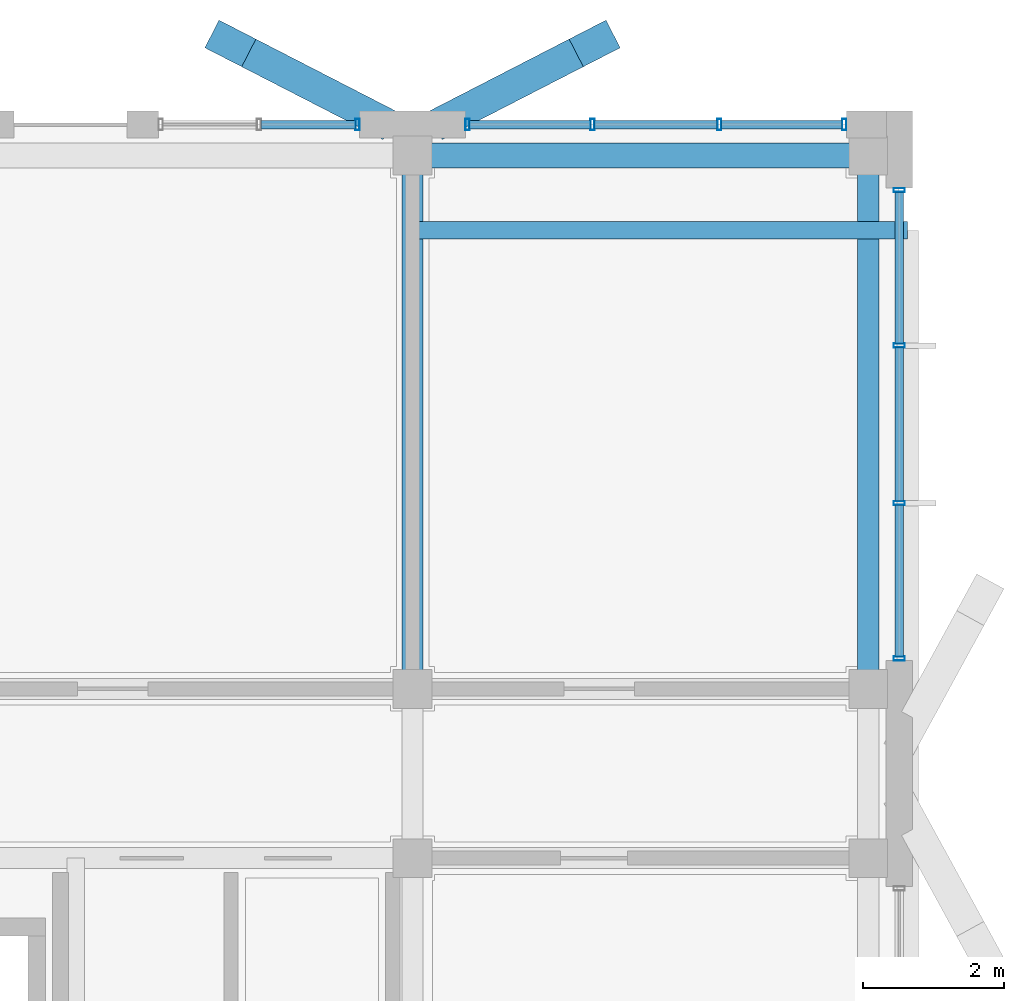
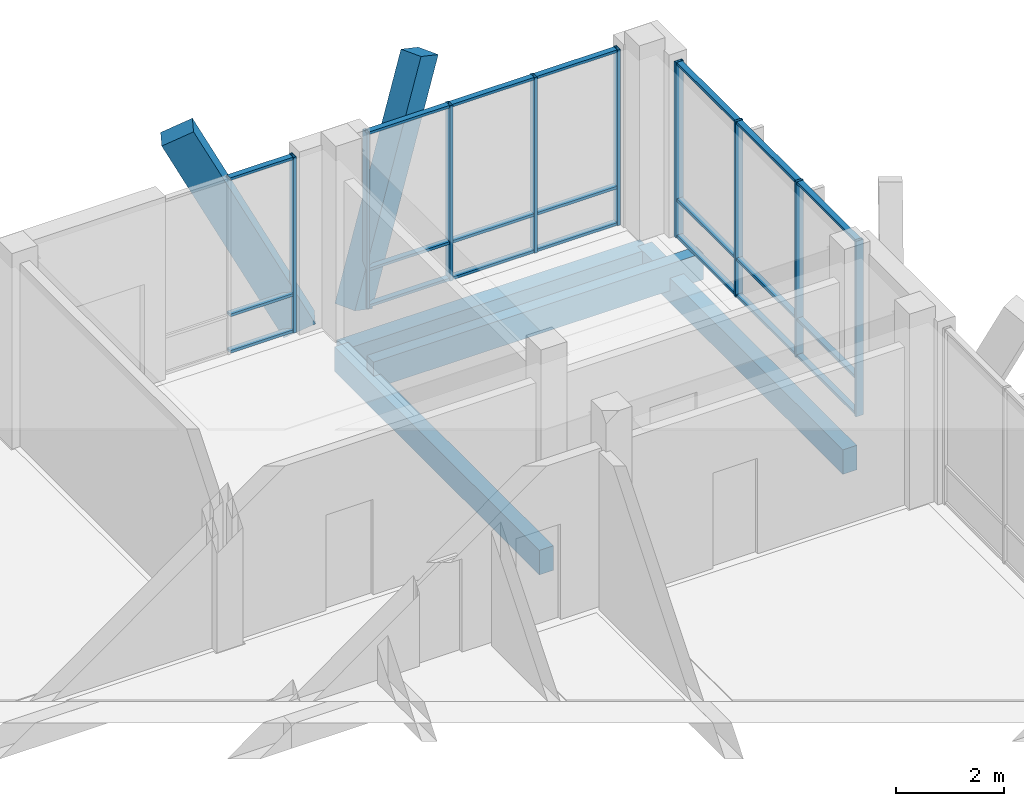
# One storey, part 175 of 233: 32 members, 4 beams, 3 elements without a shape of their own.
"""IFC4 building model written with IfcOpenShell, lengths in metres."""

from ifc_helpers import new_model, si_unit, direction, frame, origin, origin_2d, place, context, subcontext, project, spatial, rectangle, hollow_rectangle, extrude, material, material_profile, profile_set, type_object, element, aggregate, save


model = new_model("IFC4")

# Units and contexts
model_context = context("Model", 3, precision=1e-05, world=origin(), true_north=direction((0.0, 1.0)))
body_context = subcontext(model_context, "Body", "Model", "MODEL_VIEW")
ifc_project = project(units=[si_unit("LENGTHUNIT", "METRE"), si_unit("AREAUNIT", "SQUARE_METRE"), si_unit("VOLUMEUNIT", "CUBIC_METRE"), si_unit("PLANEANGLEUNIT", "RADIAN"), si_unit("MASSUNIT", "GRAM", prefix="KILO")], contexts=[model_context])

# Site, building, storey
site_placement = place(None, origin())
site = spatial("IfcSite", under=ifc_project, at=site_placement, CompositionType="ELEMENT")
building_placement = place(site_placement, origin())
building = spatial("IfcBuilding", under=site, at=building_placement, Name="Zavelmont Quarter", CompositionType="ELEMENT")
storey_placement = place(building_placement, origin())
storey = spatial("IfcBuildingStorey", under=building, at=storey_placement, Name="L00", CompositionType="ELEMENT", Elevation=0.0)

# Beams
ifc_material_1 = material(Name="Concrete C35/45", Category="concrete")
ifc_material_profile_1 = material_profile(ifc_material_1, rectangle(XDim=0.35009765625, YDim=0.60009765625, at=origin_2d()), Name="RC350X600")
ifc_profile_set_1 = profile_set([ifc_material_profile_1], Name="Concrete C35/45")
beam_type_1 = type_object("IfcBeamType", Name="BM01", PredefinedType="SPANDREL", material=ifc_profile_set_1)
beam_1_placement = place(storey_placement, frame((161.10009765625, 115.56005859375, -0.6201171875), z_axis=(1.0, 0.0, 0.0), x_axis=(0.0, 1.0, 0.0)))
element("IfcBeam", 1, at=beam_1_placement, inside=storey, type_object=beam_type_1, Name="L00 beam BM01 24/S to 25/S", PredefinedType="SPANDREL", context=body_context, shape_type="SweptSolid", body=[
    extrude(rectangle(XDim=0.35009765625, YDim=0.60009765625, at=origin_2d()), origin(), (0.0, 0.0, 1.0), 6.4599609375),
])
ifc_material_profile_2 = material_profile(ifc_material_1, rectangle(XDim=0.300048828125, YDim=0.550048828125, at=origin_2d()), Name="RC300X550")
ifc_profile_set_2 = profile_set([ifc_material_profile_2], Name="Concrete C35/45")
beam_type_2 = type_object("IfcBeamType", Name="BM02", PredefinedType="SPANDREL", material=ifc_profile_set_2)
for number, where, z_axis, x_axis, name in (
    (2, (161.10009765625, 108.0, -0.594970703125), (0.0, 1.0, 0.0), (-1.0, 0.0, 0.0), "L00 beam BM02 24/R to 24/S"),
    (3, (167.56005859375, 108.0, -0.594970703125), (0.0, 1.0, 0.0), (-1.0, 0.0, 0.0), "L00 beam BM02 25/R to 25/S"),
):
    element("IfcBeam", number, at=place(storey_placement, frame(where, z_axis=z_axis, x_axis=x_axis)), inside=storey, type_object=beam_type_2, Name=name, PredefinedType="SPANDREL", context=body_context, shape_type="SweptSolid", body=[
        extrude(rectangle(XDim=0.300048828125, YDim=0.550048828125, at=origin_2d()), origin(), (0.0, 0.0, 1.0), 7.56005859375),
    ])
ifc_material_2 = material(Name="Concrete C40/50", Category="concrete")
ifc_material_profile_3 = material_profile(ifc_material_2, rectangle(XDim=0.25, YDim=0.60009765625, at=origin_2d()), Name="RC250X600")
ifc_profile_set_3 = profile_set([ifc_material_profile_3], Name="Concrete C40/50")
beam_type_3 = type_object("IfcBeamType", Name="BM18", PredefinedType="BEAM", material=ifc_profile_set_3)
beam_2_placement = place(storey_placement, frame((161.10009765625, 114.5, -0.300048828125), z_axis=(1.0, 0.0, 0.0), x_axis=(0.0, 1.0, 0.0)))
element("IfcBeam", 4, at=beam_2_placement, inside=storey, type_object=beam_type_3, Name="L00 beam BM18 24/S to 25/S", PredefinedType="BEAM", context=body_context, shape_type="SweptSolid", body=[
    extrude(rectangle(XDim=0.25, YDim=0.60009765625, at=origin_2d()), origin(), (0.0, 0.0, 1.0), 7.02001953125),
])

# Curtain wall, member
ifc_material_3 = material(Name="Thermally broken aluminium and double low-E safety glazing", Category="aluminium")
curtain_wall_type_1 = type_object("IfcCurtainWallType", Name="CW-285X395", PredefinedType="NOTDEFINED", material=ifc_material_3)
curtain_wall_1_placement = place(storey_placement, origin())
curtain_wall_1 = element("IfcCurtainWall", 5, at=curtain_wall_1_placement, inside=storey, type_object=curtain_wall_type_1, Name="L00 unitised curtain wall CW-285X395", PredefinedType="NOTDEFINED")
ifc_material_4 = material(Name="Powder-coated aluminium EN AW-6063-T6", Category="aluminium")
ifc_material_profile_4 = material_profile(ifc_material_4, hollow_rectangle(XDim=0.06005859375, YDim=0.159912109375, WallThickness=0.00390625, at=origin_2d()), Name="CWM60X160")
ifc_profile_set_4 = profile_set([ifc_material_profile_4], Name="Powder-coated aluminium EN AW-6063-T6")
member_type_1 = type_object("IfcMemberType", Name="CWM01", PredefinedType="MULLION", material=ifc_profile_set_4)
member_1_placement = place(storey_placement, frame((160.320068359375, 116.0, 0.0), z_axis=(0.0, 0.0, 1.0), x_axis=(1.0, 0.0, 0.0)))
member_1 = element("IfcMember", 6, at=member_1_placement, type_object=member_type_1, Name="CW-285X395 mullion 3", PredefinedType="MULLION", context=body_context, shape_type="SweptSolid", body=[
    extrude(hollow_rectangle(XDim=0.06005859375, YDim=0.159912109375, WallThickness=0.00390625, at=origin_2d()), origin(), (0.0, 0.0, 1.0), 3.949951171875),
])

# Curtain wall, members
curtain_wall_type_2 = type_object("IfcCurtainWallType", Name="CW-540X395", PredefinedType="NOTDEFINED", material=ifc_material_3)
curtain_wall_2_placement = place(storey_placement, origin())
curtain_wall_2 = element("IfcCurtainWall", 7, at=curtain_wall_2_placement, inside=storey, type_object=curtain_wall_type_2, Name="L00 unitised curtain wall CW-540X395", PredefinedType="NOTDEFINED")
member_2_placement = place(storey_placement, frame((161.8798828125, 116.0, 0.0), z_axis=(0.0, 0.0, 1.0), x_axis=(1.0, 0.0, 0.0)))
member_2 = element("IfcMember", 8, at=member_2_placement, type_object=member_type_1, Name="CW-540X395 mullion 1", PredefinedType="MULLION", context=body_context, shape_type="SweptSolid", body=[
    extrude(hollow_rectangle(XDim=0.06005859375, YDim=0.159912109375, WallThickness=0.00390625, at=origin_2d()), origin(), (0.0, 0.0, 1.0), 3.949951171875),
])
member_3_placement = place(storey_placement, frame((163.64990234375, 116.0, 0.0), z_axis=(0.0, 0.0, 1.0), x_axis=(1.0, 0.0, 0.0)))
member_3 = element("IfcMember", 9, at=member_3_placement, type_object=member_type_1, Name="CW-540X395 mullion 2", PredefinedType="MULLION", context=body_context, shape_type="SweptSolid", body=[
    extrude(hollow_rectangle(XDim=0.06005859375, YDim=0.159912109375, WallThickness=0.00390625, at=origin_2d()), origin(), (0.0, 0.0, 1.0), 3.949951171875),
])
member_4_placement = place(storey_placement, frame((165.449951171875, 116.0, 0.0), z_axis=(0.0, 0.0, 1.0), x_axis=(1.0, 0.0, 0.0)))
member_4 = element("IfcMember", 10, at=member_4_placement, type_object=member_type_1, Name="CW-540X395 mullion 3", PredefinedType="MULLION", context=body_context, shape_type="SweptSolid", body=[
    extrude(hollow_rectangle(XDim=0.06005859375, YDim=0.159912109375, WallThickness=0.00390625, at=origin_2d()), origin(), (0.0, 0.0, 1.0), 3.949951171875),
])
member_5_placement = place(storey_placement, frame((167.219970703125, 116.0, 0.0), z_axis=(0.0, 0.0, 1.0), x_axis=(1.0, 0.0, 0.0)))
member_5 = element("IfcMember", 11, at=member_5_placement, type_object=member_type_1, Name="CW-540X395 mullion 4", PredefinedType="MULLION", context=body_context, shape_type="SweptSolid", body=[
    extrude(hollow_rectangle(XDim=0.06005859375, YDim=0.159912109375, WallThickness=0.00390625, at=origin_2d()), origin(), (0.0, 0.0, 1.0), 3.949951171875),
])

curtain_wall_type_3 = type_object("IfcCurtainWallType", Name="CW-670X395", PredefinedType="NOTDEFINED", material=ifc_material_3)
curtain_wall_3_placement = place(storey_placement, origin())
curtain_wall_3 = element("IfcCurtainWall", 12, at=curtain_wall_3_placement, inside=storey, type_object=curtain_wall_type_3, Name="L00 unitised curtain wall CW-670X395", PredefinedType="NOTDEFINED")
member_6_placement = place(storey_placement, frame((168.0, 108.429931640625, 0.0), z_axis=(0.0, 0.0, 1.0), x_axis=(0.0, 1.0, 0.0)))
member_6 = element("IfcMember", 13, at=member_6_placement, type_object=member_type_1, Name="CW-670X395 mullion 1", PredefinedType="MULLION", context=body_context, shape_type="SweptSolid", body=[
    extrude(hollow_rectangle(XDim=0.06005859375, YDim=0.159912109375, WallThickness=0.00390625, at=origin_2d()), origin(), (0.0, 0.0, 1.0), 3.949951171875),
])
member_7_placement = place(storey_placement, frame((168.0, 110.63330078125, 0.0), z_axis=(0.0, 0.0, 1.0), x_axis=(0.0, 1.0, 0.0)))
member_7 = element("IfcMember", 14, at=member_7_placement, type_object=member_type_1, Name="CW-670X395 mullion 2", PredefinedType="MULLION", context=body_context, shape_type="SweptSolid", body=[
    extrude(hollow_rectangle(XDim=0.06005859375, YDim=0.159912109375, WallThickness=0.00390625, at=origin_2d()), origin(), (0.0, 0.0, 1.0), 3.949951171875),
])
member_8_placement = place(storey_placement, frame((168.0, 112.86669921875, 0.0), z_axis=(0.0, 0.0, 1.0), x_axis=(0.0, 1.0, 0.0)))
member_8 = element("IfcMember", 15, at=member_8_placement, type_object=member_type_1, Name="CW-670X395 mullion 3", PredefinedType="MULLION", context=body_context, shape_type="SweptSolid", body=[
    extrude(hollow_rectangle(XDim=0.06005859375, YDim=0.159912109375, WallThickness=0.00390625, at=origin_2d()), origin(), (0.0, 0.0, 1.0), 3.949951171875),
])
member_9_placement = place(storey_placement, frame((168.0, 115.070068359375, 0.0), z_axis=(0.0, 0.0, 1.0), x_axis=(0.0, 1.0, 0.0)))
member_9 = element("IfcMember", 16, at=member_9_placement, type_object=member_type_1, Name="CW-670X395 mullion 4", PredefinedType="MULLION", context=body_context, shape_type="SweptSolid", body=[
    extrude(hollow_rectangle(XDim=0.06005859375, YDim=0.159912109375, WallThickness=0.00390625, at=origin_2d()), origin(), (0.0, 0.0, 1.0), 3.949951171875),
])

# Member
ifc_material_profile_5 = material_profile(ifc_material_4, hollow_rectangle(XDim=0.1201171875, YDim=0.06005859375, WallThickness=0.00390625, at=origin_2d()), Name="CWT60X120")
ifc_profile_set_5 = profile_set([ifc_material_profile_5], Name="Powder-coated aluminium EN AW-6063-T6")
member_type_2 = type_object("IfcMemberType", Name="CWT01", PredefinedType="NOTDEFINED", material=ifc_profile_set_5)
member_10_placement = place(storey_placement, frame((158.955078125, 116.0, 0.030029296875), z_axis=(1.0, 0.0, 0.0), x_axis=(0.0, 1.0, 0.0)))
member_10 = element("IfcMember", 17, at=member_10_placement, type_object=member_type_2, Name="CW-285X395 transom 2.1", ObjectType="TRANSOM", PredefinedType="USERDEFINED", context=body_context, shape_type="SweptSolid", body=[
    extrude(hollow_rectangle(XDim=0.1201171875, YDim=0.06005859375, WallThickness=0.00390625, at=origin_2d()), origin(), (0.0, 0.0, 1.0), 1.3349609375),
])

member_11_placement = place(storey_placement, frame((158.955078125, 116.0, 0.85009765625), z_axis=(1.0, 0.0, 0.0), x_axis=(0.0, 1.0, 0.0)))
member_11 = element("IfcMember", 18, at=member_11_placement, type_object=member_type_2, Name="CW-285X395 transom 2.2", ObjectType="TRANSOM", PredefinedType="USERDEFINED", context=body_context, shape_type="SweptSolid", body=[
    extrude(hollow_rectangle(XDim=0.1201171875, YDim=0.06005859375, WallThickness=0.00390625, at=origin_2d()), origin(), (0.0, 0.0, 1.0), 1.3349609375),
])

member_12_placement = place(storey_placement, frame((158.955078125, 116.0, 3.919921875), z_axis=(1.0, 0.0, 0.0), x_axis=(0.0, 1.0, 0.0)))
member_12 = element("IfcMember", 19, at=member_12_placement, type_object=member_type_2, Name="CW-285X395 transom 2.3", ObjectType="TRANSOM", PredefinedType="USERDEFINED", context=body_context, shape_type="SweptSolid", body=[
    extrude(hollow_rectangle(XDim=0.1201171875, YDim=0.06005859375, WallThickness=0.00390625, at=origin_2d()), origin(), (0.0, 0.0, 1.0), 1.3349609375),
])

aggregate(curtain_wall_1, [member_1, member_10, member_11, member_12])

member_13_placement = place(storey_placement, frame((161.909912109375, 116.0, 0.030029296875), z_axis=(1.0, 0.0, 0.0), x_axis=(0.0, 1.0, 0.0)))
member_13 = element("IfcMember", 20, at=member_13_placement, type_object=member_type_2, Name="CW-540X395 transom 1.1", ObjectType="TRANSOM", PredefinedType="USERDEFINED", context=body_context, shape_type="SweptSolid", body=[
    extrude(hollow_rectangle(XDim=0.1201171875, YDim=0.06005859375, WallThickness=0.00390625, at=origin_2d()), origin(), (0.0, 0.0, 1.0), 1.710205078125),
])

member_14_placement = place(storey_placement, frame((161.909912109375, 116.0, 0.85009765625), z_axis=(1.0, 0.0, 0.0), x_axis=(0.0, 1.0, 0.0)))
member_14 = element("IfcMember", 21, at=member_14_placement, type_object=member_type_2, Name="CW-540X395 transom 1.2", ObjectType="TRANSOM", PredefinedType="USERDEFINED", context=body_context, shape_type="SweptSolid", body=[
    extrude(hollow_rectangle(XDim=0.1201171875, YDim=0.06005859375, WallThickness=0.00390625, at=origin_2d()), origin(), (0.0, 0.0, 1.0), 1.710205078125),
])

member_15_placement = place(storey_placement, frame((161.909912109375, 116.0, 3.919921875), z_axis=(1.0, 0.0, 0.0), x_axis=(0.0, 1.0, 0.0)))
member_15 = element("IfcMember", 22, at=member_15_placement, type_object=member_type_2, Name="CW-540X395 transom 1.3", ObjectType="TRANSOM", PredefinedType="USERDEFINED", context=body_context, shape_type="SweptSolid", body=[
    extrude(hollow_rectangle(XDim=0.1201171875, YDim=0.06005859375, WallThickness=0.00390625, at=origin_2d()), origin(), (0.0, 0.0, 1.0), 1.710205078125),
])

member_16_placement = place(storey_placement, frame((163.679931640625, 116.0, 0.030029296875), z_axis=(1.0, 0.0, 0.0), x_axis=(0.0, 1.0, 0.0)))
member_16 = element("IfcMember", 23, at=member_16_placement, type_object=member_type_2, Name="CW-540X395 transom 2.1", ObjectType="TRANSOM", PredefinedType="USERDEFINED", context=body_context, shape_type="SweptSolid", body=[
    extrude(hollow_rectangle(XDim=0.1201171875, YDim=0.06005859375, WallThickness=0.00390625, at=origin_2d()), origin(), (0.0, 0.0, 1.0), 1.739990234375),
])

member_17_placement = place(storey_placement, frame((163.679931640625, 116.0, 0.85009765625), z_axis=(1.0, 0.0, 0.0), x_axis=(0.0, 1.0, 0.0)))
member_17 = element("IfcMember", 24, at=member_17_placement, type_object=member_type_2, Name="CW-540X395 transom 2.2", ObjectType="TRANSOM", PredefinedType="USERDEFINED", context=body_context, shape_type="SweptSolid", body=[
    extrude(hollow_rectangle(XDim=0.1201171875, YDim=0.06005859375, WallThickness=0.00390625, at=origin_2d()), origin(), (0.0, 0.0, 1.0), 1.739990234375),
])

member_18_placement = place(storey_placement, frame((163.679931640625, 116.0, 3.919921875), z_axis=(1.0, 0.0, 0.0), x_axis=(0.0, 1.0, 0.0)))
member_18 = element("IfcMember", 25, at=member_18_placement, type_object=member_type_2, Name="CW-540X395 transom 2.3", ObjectType="TRANSOM", PredefinedType="USERDEFINED", context=body_context, shape_type="SweptSolid", body=[
    extrude(hollow_rectangle(XDim=0.1201171875, YDim=0.06005859375, WallThickness=0.00390625, at=origin_2d()), origin(), (0.0, 0.0, 1.0), 1.739990234375),
])

member_19_placement = place(storey_placement, frame((165.47998046875, 116.0, 0.030029296875), z_axis=(1.0, 0.0, 0.0), x_axis=(0.0, 1.0, 0.0)))
member_19 = element("IfcMember", 26, at=member_19_placement, type_object=member_type_2, Name="CW-540X395 transom 3.1", ObjectType="TRANSOM", PredefinedType="USERDEFINED", context=body_context, shape_type="SweptSolid", body=[
    extrude(hollow_rectangle(XDim=0.1201171875, YDim=0.06005859375, WallThickness=0.00390625, at=origin_2d()), origin(), (0.0, 0.0, 1.0), 1.7099609375),
])

member_20_placement = place(storey_placement, frame((165.47998046875, 116.0, 0.85009765625), z_axis=(1.0, 0.0, 0.0), x_axis=(0.0, 1.0, 0.0)))
member_20 = element("IfcMember", 27, at=member_20_placement, type_object=member_type_2, Name="CW-540X395 transom 3.2", ObjectType="TRANSOM", PredefinedType="USERDEFINED", context=body_context, shape_type="SweptSolid", body=[
    extrude(hollow_rectangle(XDim=0.1201171875, YDim=0.06005859375, WallThickness=0.00390625, at=origin_2d()), origin(), (0.0, 0.0, 1.0), 1.7099609375),
])

member_21_placement = place(storey_placement, frame((165.47998046875, 116.0, 3.919921875), z_axis=(1.0, 0.0, 0.0), x_axis=(0.0, 1.0, 0.0)))
member_21 = element("IfcMember", 28, at=member_21_placement, type_object=member_type_2, Name="CW-540X395 transom 3.3", ObjectType="TRANSOM", PredefinedType="USERDEFINED", context=body_context, shape_type="SweptSolid", body=[
    extrude(hollow_rectangle(XDim=0.1201171875, YDim=0.06005859375, WallThickness=0.00390625, at=origin_2d()), origin(), (0.0, 0.0, 1.0), 1.7099609375),
])

aggregate(curtain_wall_2, [member_2, member_3, member_4, member_5, member_13, member_14, member_15, member_16, member_17, member_18, member_19, member_20, member_21])

member_22_placement = place(storey_placement, frame((168.0, 108.4599609375, 0.030029296875), z_axis=(0.0, 1.0, 0.0), x_axis=(-1.0, 0.0, 0.0)))
member_22 = element("IfcMember", 29, at=member_22_placement, type_object=member_type_2, Name="CW-670X395 transom 1.1", ObjectType="TRANSOM", PredefinedType="USERDEFINED", context=body_context, shape_type="SweptSolid", body=[
    extrude(hollow_rectangle(XDim=0.1201171875, YDim=0.06005859375, WallThickness=0.00390625, at=origin_2d()), origin(), (0.0, 0.0, 1.0), 2.143310546875),
])

member_23_placement = place(storey_placement, frame((168.0, 108.4599609375, 0.85009765625), z_axis=(0.0, 1.0, 0.0), x_axis=(-1.0, 0.0, 0.0)))
member_23 = element("IfcMember", 30, at=member_23_placement, type_object=member_type_2, Name="CW-670X395 transom 1.2", ObjectType="TRANSOM", PredefinedType="USERDEFINED", context=body_context, shape_type="SweptSolid", body=[
    extrude(hollow_rectangle(XDim=0.1201171875, YDim=0.06005859375, WallThickness=0.00390625, at=origin_2d()), origin(), (0.0, 0.0, 1.0), 2.143310546875),
])

member_24_placement = place(storey_placement, frame((168.0, 108.4599609375, 3.919921875), z_axis=(0.0, 1.0, 0.0), x_axis=(-1.0, 0.0, 0.0)))
member_24 = element("IfcMember", 31, at=member_24_placement, type_object=member_type_2, Name="CW-670X395 transom 1.3", ObjectType="TRANSOM", PredefinedType="USERDEFINED", context=body_context, shape_type="SweptSolid", body=[
    extrude(hollow_rectangle(XDim=0.1201171875, YDim=0.06005859375, WallThickness=0.00390625, at=origin_2d()), origin(), (0.0, 0.0, 1.0), 2.143310546875),
])

member_25_placement = place(storey_placement, frame((168.0, 110.663330078125, 0.030029296875), z_axis=(0.0, 1.0, 0.0), x_axis=(-1.0, 0.0, 0.0)))
member_25 = element("IfcMember", 32, at=member_25_placement, type_object=member_type_2, Name="CW-670X395 transom 2.1", ObjectType="TRANSOM", PredefinedType="USERDEFINED", context=body_context, shape_type="SweptSolid", body=[
    extrude(hollow_rectangle(XDim=0.1201171875, YDim=0.06005859375, WallThickness=0.00390625, at=origin_2d()), origin(), (0.0, 0.0, 1.0), 2.17333984375),
])

member_26_placement = place(storey_placement, frame((168.0, 110.663330078125, 0.85009765625), z_axis=(0.0, 1.0, 0.0), x_axis=(-1.0, 0.0, 0.0)))
member_26 = element("IfcMember", 33, at=member_26_placement, type_object=member_type_2, Name="CW-670X395 transom 2.2", ObjectType="TRANSOM", PredefinedType="USERDEFINED", context=body_context, shape_type="SweptSolid", body=[
    extrude(hollow_rectangle(XDim=0.1201171875, YDim=0.06005859375, WallThickness=0.00390625, at=origin_2d()), origin(), (0.0, 0.0, 1.0), 2.17333984375),
])

member_27_placement = place(storey_placement, frame((168.0, 110.663330078125, 3.919921875), z_axis=(0.0, 1.0, 0.0), x_axis=(-1.0, 0.0, 0.0)))
member_27 = element("IfcMember", 34, at=member_27_placement, type_object=member_type_2, Name="CW-670X395 transom 2.3", ObjectType="TRANSOM", PredefinedType="USERDEFINED", context=body_context, shape_type="SweptSolid", body=[
    extrude(hollow_rectangle(XDim=0.1201171875, YDim=0.06005859375, WallThickness=0.00390625, at=origin_2d()), origin(), (0.0, 0.0, 1.0), 2.17333984375),
])

member_28_placement = place(storey_placement, frame((168.0, 112.896728515625, 0.030029296875), z_axis=(0.0, 1.0, 0.0), x_axis=(-1.0, 0.0, 0.0)))
member_28 = element("IfcMember", 35, at=member_28_placement, type_object=member_type_2, Name="CW-670X395 transom 3.1", ObjectType="TRANSOM", PredefinedType="USERDEFINED", context=body_context, shape_type="SweptSolid", body=[
    extrude(hollow_rectangle(XDim=0.1201171875, YDim=0.06005859375, WallThickness=0.00390625, at=origin_2d()), origin(), (0.0, 0.0, 1.0), 2.143310546875),
])

member_29_placement = place(storey_placement, frame((168.0, 112.896728515625, 0.85009765625), z_axis=(0.0, 1.0, 0.0), x_axis=(-1.0, 0.0, 0.0)))
member_29 = element("IfcMember", 36, at=member_29_placement, type_object=member_type_2, Name="CW-670X395 transom 3.2", ObjectType="TRANSOM", PredefinedType="USERDEFINED", context=body_context, shape_type="SweptSolid", body=[
    extrude(hollow_rectangle(XDim=0.1201171875, YDim=0.06005859375, WallThickness=0.00390625, at=origin_2d()), origin(), (0.0, 0.0, 1.0), 2.143310546875),
])

member_30_placement = place(storey_placement, frame((168.0, 112.896728515625, 3.919921875), z_axis=(0.0, 1.0, 0.0), x_axis=(-1.0, 0.0, 0.0)))
member_30 = element("IfcMember", 37, at=member_30_placement, type_object=member_type_2, Name="CW-670X395 transom 3.3", ObjectType="TRANSOM", PredefinedType="USERDEFINED", context=body_context, shape_type="SweptSolid", body=[
    extrude(hollow_rectangle(XDim=0.1201171875, YDim=0.06005859375, WallThickness=0.00390625, at=origin_2d()), origin(), (0.0, 0.0, 1.0), 2.143310546875),
])

aggregate(curtain_wall_3, [member_6, member_7, member_8, member_9, member_22, member_23, member_24, member_25, member_26, member_27, member_28, member_29, member_30])

# Members
ifc_material_5 = material(Name="White architectural precast concrete C40/50", Category="concrete")
ifc_material_profile_6 = material_profile(ifc_material_5, rectangle(XDim=0.43994140625, YDim=0.659912109375, at=origin_2d()), Name="PCR320X480")
ifc_profile_set_6 = profile_set([ifc_material_profile_6], Name="White architectural precast concrete C40/50")
member_type_3 = type_object("IfcMemberType", Name="VR01M", PredefinedType="CHORD", material=ifc_profile_set_6)
for number, where, z_axis, x_axis, name in (
    (38, (160.52001953125, 116.1201171875, 0.0), (-0.405097370114, 0.208352726148, 0.890216413145), (-0.457377413635, -0.889272681182, 0.0), "L00 member VR01M 24/S to 24/S"),
    (39, (161.679931640625, 116.1201171875, 0.0), (0.405097370114, 0.208352726148, 0.890216413145), (-0.457377413635, 0.889272681182, 0.0), "L00 member VR01M 24/S to 24/S"),
):
    element("IfcMember", number, at=place(storey_placement, frame(where, z_axis=z_axis, x_axis=x_axis)), inside=storey, type_object=member_type_3, Name=name, PredefinedType="CHORD", context=body_context, shape_type="SweptSolid", body=[
        extrude(rectangle(XDim=0.43994140625, YDim=0.659912109375, at=origin_2d()), origin(), (0.0, 0.0, 1.0), 4.942626953125),
    ])

save(model, "model.ifc")
